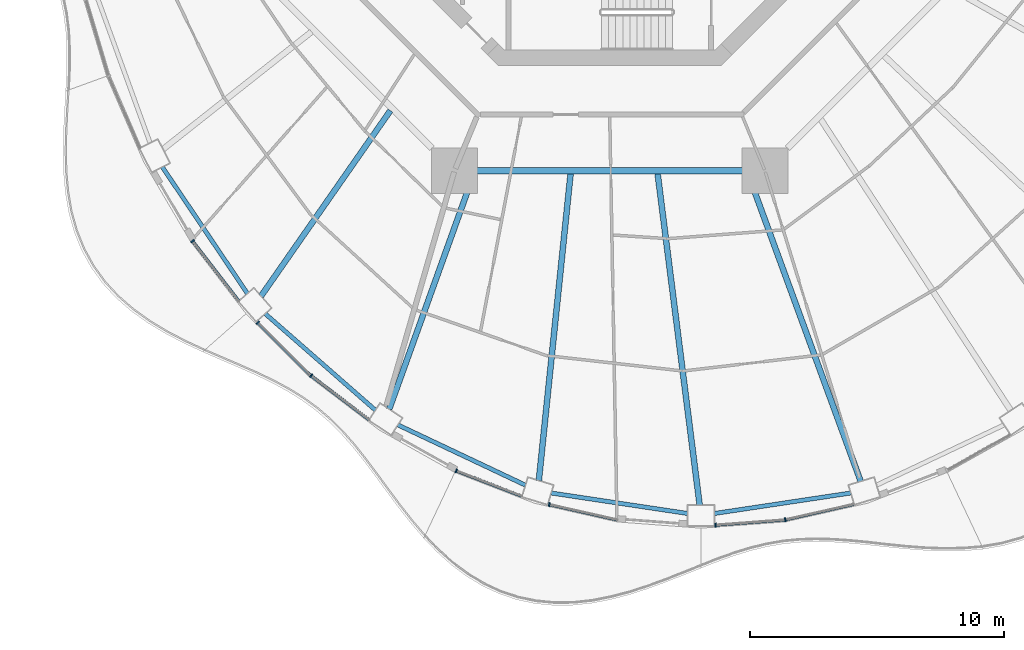
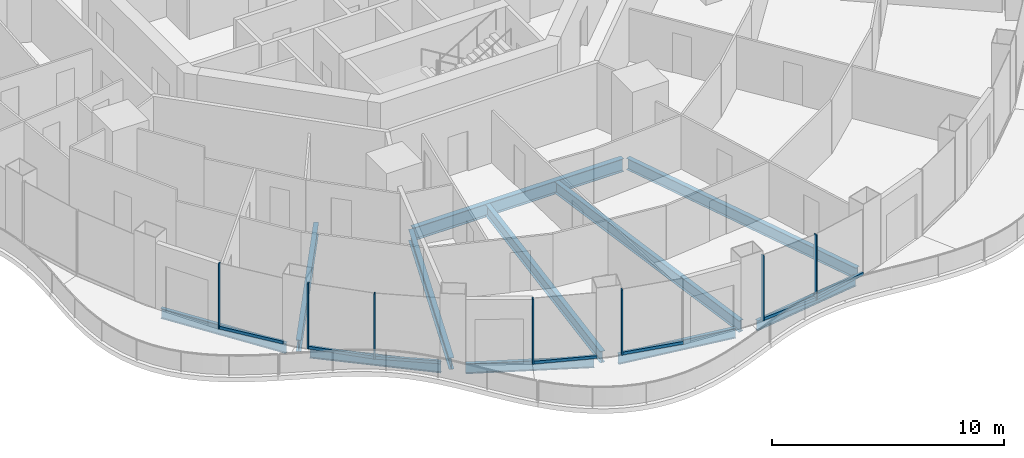
# One storey, part 2 of 19: 14 members, 11 beams, 7 elements without a shape of their own.
"""IFC4 building model written with IfcOpenShell, lengths in metres."""

from ifc_helpers import new_model, si_unit, direction, frame, origin, origin_2d, place, context, subcontext, project, spatial, rectangle, i_section, extrude, material, layer, layer_set, material_profile, profile_set, type_object, element, aggregate, save


model = new_model("IFC4")

# Units and contexts
model_context = context("Model", 3, precision=1e-05, world=origin(), true_north=direction((0.0, 1.0)))
body_context = subcontext(model_context, "Body", "Model", "MODEL_VIEW")
ifc_project = project(units=[si_unit("LENGTHUNIT", "METRE"), si_unit("AREAUNIT", "SQUARE_METRE"), si_unit("VOLUMEUNIT", "CUBIC_METRE"), si_unit("PLANEANGLEUNIT", "RADIAN"), si_unit("MASSUNIT", "GRAM", prefix="KILO")], contexts=[model_context])

# Site, building, storey
site_placement = place(None, origin())
site = spatial("IfcSite", under=ifc_project, at=site_placement, CompositionType="ELEMENT")
building_placement = place(site_placement, origin())
building = spatial("IfcBuilding", under=site, at=building_placement, Name="Nagisa Residences", CompositionType="ELEMENT")
storey_placement = place(building_placement, frame((0.0, 0.0, 169.60009765625)))
storey = spatial("IfcBuildingStorey", under=building, at=storey_placement, Name="L42", CompositionType="ELEMENT", Elevation=169.60009765625)

# Curtain wall, member
ifc_material_1 = material(Name="Concrete-coloured aluminium curtain wall system", Category="concrete")
ifc_layer = layer(ifc_material_1, 0.159912109375)
ifc_layer_set = layer_set([ifc_layer], Name="CW1 CURTAIN WALL")
curtain_wall_type = type_object("IfcCurtainWallType", Name="CW1 CURTAIN WALL", PredefinedType="NOTDEFINED", material=ifc_layer_set)
curtain_wall_1_placement = place(storey_placement, origin())
curtain_wall_1 = element("IfcCurtainWall", 1, at=curtain_wall_1_placement, inside=storey, type_object=curtain_wall_type, Name="cw:CW1:L42:29", PredefinedType="NOTDEFINED")
ifc_material_2 = material(Name="Concrete-coloured aluminium", Category="concrete")
ifc_material_profile_1 = material_profile(ifc_material_2, rectangle(XDim=0.159912109375, YDim=0.06005859375, at=origin_2d()), Name="CW1 MULLION 160x60")
ifc_profile_set_1 = profile_set([ifc_material_profile_1], Name="Concrete-coloured aluminium")
member_type_1 = type_object("IfcMemberType", Name="CW1 MULLION 160x60", PredefinedType="MULLION", material=ifc_profile_set_1)
member_1_placement = place(storey_placement, frame((-16.44970703125, -17.552978515625, 0.0), z_axis=(0.0, 0.0, 1.0), x_axis=(0.792070340816, 0.610429828235, 0.0)))
member_1 = element("IfcMember", 2, at=member_1_placement, type_object=member_type_1, Name="CW1 mullion", PredefinedType="MULLION", context=body_context, shape_type="SweptSolid", body=[
    extrude(rectangle(XDim=0.159912109375, YDim=0.06005859375, at=origin_2d()), origin(), (0.0, 0.0, 1.0), 3.43994140625),
])

curtain_wall_2_placement = place(storey_placement, origin())
curtain_wall_2 = element("IfcCurtainWall", 3, at=curtain_wall_2_placement, inside=storey, type_object=curtain_wall_type, Name="cw:CW1:L42:30", PredefinedType="NOTDEFINED")
member_2_placement = place(storey_placement, frame((-13.875732421875, -20.770751953125, 0.0), z_axis=(0.0, 0.0, 1.0), x_axis=(0.706376885714, 0.707835924016, 0.0)))
member_2 = element("IfcMember", 4, at=member_2_placement, type_object=member_type_1, Name="CW1 mullion", PredefinedType="MULLION", context=body_context, shape_type="SweptSolid", body=[
    extrude(rectangle(XDim=0.159912109375, YDim=0.06005859375, at=origin_2d()), origin(), (0.0, 0.0, 1.0), 3.43994140625),
])

curtain_wall_3_placement = place(storey_placement, origin())
curtain_wall_3 = element("IfcCurtainWall", 5, at=curtain_wall_3_placement, inside=storey, type_object=curtain_wall_type, Name="cw:CW1:L42:31", PredefinedType="NOTDEFINED")
member_3_placement = place(storey_placement, frame((-11.77490234375, -22.862548828125, 0.0), z_axis=(0.0, 0.0, 1.0), x_axis=(0.605255421737, 0.79603132756, 0.0)))
member_3 = element("IfcMember", 6, at=member_3_placement, type_object=member_type_1, Name="CW1 mullion", PredefinedType="MULLION", context=body_context, shape_type="SweptSolid", body=[
    extrude(rectangle(XDim=0.159912109375, YDim=0.06005859375, at=origin_2d()), origin(), (0.0, 0.0, 1.0), 3.43994140625),
])

curtain_wall_4_placement = place(storey_placement, origin())
curtain_wall_4 = element("IfcCurtainWall", 7, at=curtain_wall_4_placement, inside=storey, type_object=curtain_wall_type, Name="cw:CW1:L42:33", PredefinedType="NOTDEFINED")
member_4_placement = place(storey_placement, frame((-6.0537109375, -26.61328125, 0.0), z_axis=(0.0, 0.0, 1.0), x_axis=(0.360327770268, 0.932825759707, 0.0)))
member_4 = element("IfcMember", 8, at=member_4_placement, type_object=member_type_1, Name="CW1 mullion", PredefinedType="MULLION", context=body_context, shape_type="SweptSolid", body=[
    extrude(rectangle(XDim=0.159912109375, YDim=0.06005859375, at=origin_2d()), origin(), (0.0, 0.0, 1.0), 3.43994140625),
])

curtain_wall_5_placement = place(storey_placement, origin())
curtain_wall_5 = element("IfcCurtainWall", 9, at=curtain_wall_5_placement, inside=storey, type_object=curtain_wall_type, Name="cw:CW1:L42:34", PredefinedType="NOTDEFINED")
member_5_placement = place(storey_placement, frame((-2.38427734375, -27.941162109375, 0.0), z_axis=(0.0, 0.0, 1.0), x_axis=(0.2207639201, 0.975327274089, 0.0)))
member_5 = element("IfcMember", 10, at=member_5_placement, type_object=member_type_1, Name="CW1 mullion", PredefinedType="MULLION", context=body_context, shape_type="SweptSolid", body=[
    extrude(rectangle(XDim=0.159912109375, YDim=0.06005859375, at=origin_2d()), origin(), (0.0, 0.0, 1.0), 3.43994140625),
])

curtain_wall_6_placement = place(storey_placement, origin())
curtain_wall_6 = element("IfcCurtainWall", 11, at=curtain_wall_6_placement, inside=storey, type_object=curtain_wall_type, Name="cw:CW1:L42:36", PredefinedType="NOTDEFINED")
member_6_placement = place(storey_placement, frame((4.17236328125, -28.752197265625, 0.0), z_axis=(0.0, 0.0, 1.0), x_axis=(-0.074377355493, 0.997230168512, 0.0)))
member_6 = element("IfcMember", 12, at=member_6_placement, type_object=member_type_1, Name="CW1 mullion", PredefinedType="MULLION", context=body_context, shape_type="SweptSolid", body=[
    extrude(rectangle(XDim=0.159912109375, YDim=0.06005859375, at=origin_2d()), origin(), (0.0, 0.0, 1.0), 3.43994140625),
])

curtain_wall_7_placement = place(storey_placement, origin())
curtain_wall_7 = element("IfcCurtainWall", 13, at=curtain_wall_7_placement, inside=storey, type_object=curtain_wall_type, Name="cw:CW1:L42:37", PredefinedType="NOTDEFINED")
member_7_placement = place(storey_placement, frame((6.923583984375, -28.543212890625, 0.0), z_axis=(0.0, 0.0, 1.0), x_axis=(-0.2207639201, 0.975327274089, 0.0)))
member_7 = element("IfcMember", 14, at=member_7_placement, type_object=member_type_1, Name="CW1 mullion", PredefinedType="MULLION", context=body_context, shape_type="SweptSolid", body=[
    extrude(rectangle(XDim=0.159912109375, YDim=0.06005859375, at=origin_2d()), origin(), (0.0, 0.0, 1.0), 3.43994140625),
])

# Member
ifc_material_3 = material(Name="Concrete-coloured aluminium", Category="concrete")
ifc_material_profile_2 = material_profile(ifc_material_3, rectangle(XDim=0.1201171875, YDim=0.14990234375, at=origin_2d()), Name="CW1 TRANSOM 120x150")
ifc_profile_set_2 = profile_set([ifc_material_profile_2], Name="Concrete-coloured aluminium")
member_type_2 = type_object("IfcMemberType", Name="CW1 TRANSOM 120x150", PredefinedType="USERDEFINED", material=ifc_profile_set_2)
member_8_placement = place(storey_placement, frame((-16.468017578125, -17.529052734375, 0.074951171875), z_axis=(0.610398538814, -0.792094453846, 0.0), x_axis=(0.792094453846, 0.610398538814, 0.0)))
member_8 = element("IfcMember", 15, at=member_8_placement, type_object=member_type_2, Name="CW1 transom", ObjectType="TRANSOM", PredefinedType="USERDEFINED", context=body_context, shape_type="SweptSolid", body=[
    extrude(rectangle(XDim=0.1201171875, YDim=0.14990234375, at=origin_2d()), origin(), (0.0, 0.0, 1.0), 3.035400390625),
])

aggregate(curtain_wall_1, [member_1, member_8])

member_9_placement = place(storey_placement, frame((-13.89697265625, -20.74951171875, 0.074951171875), z_axis=(0.707803821372, -0.706409053206, 0.0), x_axis=(0.706409053206, 0.707803821372, 0.0)))
member_9 = element("IfcMember", 16, at=member_9_placement, type_object=member_type_2, Name="CW1 transom", ObjectType="TRANSOM", PredefinedType="USERDEFINED", context=body_context, shape_type="SweptSolid", body=[
    extrude(rectangle(XDim=0.1201171875, YDim=0.14990234375, at=origin_2d()), origin(), (0.0, 0.0, 1.0), 2.9755859375),
])

aggregate(curtain_wall_2, [member_2, member_9])

member_10_placement = place(storey_placement, frame((-11.798828125, -22.844482421875, 0.074951171875), z_axis=(0.796055733703, -0.60522332146, 0.0), x_axis=(0.60522332146, 0.796055733703, 0.0)))
member_10 = element("IfcMember", 17, at=member_10_placement, type_object=member_type_2, Name="CW1 transom", ObjectType="TRANSOM", PredefinedType="USERDEFINED", context=body_context, shape_type="SweptSolid", body=[
    extrude(rectangle(XDim=0.1201171875, YDim=0.14990234375, at=origin_2d()), origin(), (0.0, 0.0, 1.0), 2.9169921875),
])

aggregate(curtain_wall_3, [member_3, member_10])

member_11_placement = place(storey_placement, frame((-6.081787109375, -26.602294921875, 0.074951171875), z_axis=(0.932806734513, -0.360377019311, 0.0), x_axis=(0.360377019311, 0.932806734513, 0.0)))
member_11 = element("IfcMember", 18, at=member_11_placement, type_object=member_type_2, Name="CW1 transom", ObjectType="TRANSOM", PredefinedType="USERDEFINED", context=body_context, shape_type="SweptSolid", body=[
    extrude(rectangle(XDim=0.1201171875, YDim=0.14990234375, at=origin_2d()), origin(), (0.0, 0.0, 1.0), 2.819580078125),
])

aggregate(curtain_wall_4, [member_4, member_11])

member_12_placement = place(storey_placement, frame((-2.413330078125, -27.9345703125, 0.074951171875), z_axis=(0.975324329911, -0.220776926974, 0.0), x_axis=(0.220776926974, 0.975324329911, 0.0)))
member_12 = element("IfcMember", 19, at=member_12_placement, type_object=member_type_2, Name="CW1 transom", ObjectType="TRANSOM", PredefinedType="USERDEFINED", context=body_context, shape_type="SweptSolid", body=[
    extrude(rectangle(XDim=0.1201171875, YDim=0.14990234375, at=origin_2d()), origin(), (0.0, 0.0, 1.0), 2.787841796875),
])

aggregate(curtain_wall_5, [member_5, member_12])

member_13_placement = place(storey_placement, frame((4.142578125, -28.75439453125, 0.074951171875), z_axis=(0.997225528735, 0.074439538143, 0.0), x_axis=(-0.074439538143, 0.997225528735, 0.0)))
member_13 = element("IfcMember", 20, at=member_13_placement, type_object=member_type_2, Name="CW1 transom", ObjectType="TRANSOM", PredefinedType="USERDEFINED", context=body_context, shape_type="SweptSolid", body=[
    extrude(rectangle(XDim=0.1201171875, YDim=0.14990234375, at=origin_2d()), origin(), (0.0, 0.0, 1.0), 2.771240234375),
])

aggregate(curtain_wall_6, [member_6, member_13])

member_14_placement = place(storey_placement, frame((6.89453125, -28.550048828125, 0.074951171875), z_axis=(0.975324329911, 0.220776926974, 0.0), x_axis=(-0.220776926974, 0.975324329911, 0.0)))
member_14 = element("IfcMember", 21, at=member_14_placement, type_object=member_type_2, Name="CW1 transom", ObjectType="TRANSOM", PredefinedType="USERDEFINED", context=body_context, shape_type="SweptSolid", body=[
    extrude(rectangle(XDim=0.1201171875, YDim=0.14990234375, at=origin_2d()), origin(), (0.0, 0.0, 1.0), 2.787841796875),
])

aggregate(curtain_wall_7, [member_7, member_14])

# Beams
ifc_material_4 = material(Name="Steel ASTM A572 Gr 50", Category="steel")
ifc_material_profile_3 = material_profile(ifc_material_4, i_section(OverallWidth=0.25390625, OverallDepth=0.68408203125, WebThickness=0.012451171875, FlangeThickness=0.018798828125, at=origin_2d()), Name="W690x140")
ifc_profile_set_3 = profile_set([ifc_material_profile_3], Name="Steel ASTM A572 Gr 50")
beam_type_1 = type_object("IfcBeamType", Name="Inner ring beam W690x140", PredefinedType="BEAM", material=ifc_profile_set_3)
beam_1_placement = place(storey_placement, frame((-5.242919921875, -14.781982421875, -0.60205078125), z_axis=(1.0, 0.0, 0.0), x_axis=(0.0, 1.0, 0.0)))
element("IfcBeam", 22, at=beam_1_placement, inside=storey, type_object=beam_type_1, Name="beam:L42:ib6", PredefinedType="BEAM", context=body_context, shape_type="SweptSolid", body=[
    extrude(i_section(OverallWidth=0.25390625, OverallDepth=0.68408203125, WebThickness=0.012451171875, FlangeThickness=0.018798828125, at=origin_2d()), origin(), (0.0, 0.0, 1.0), 10.48583984375),
])
ifc_material_5 = material(Name="Steel ASTM A572 Gr 50", Category="steel")
ifc_material_profile_4 = material_profile(ifc_material_5, i_section(OverallWidth=0.166015625, OverallDepth=0.534912109375, WebThickness=0.01025390625, FlangeThickness=0.0166015625, at=origin_2d()), Name="W530x85")
ifc_profile_set_4 = profile_set([ifc_material_profile_4], Name="Steel ASTM A572 Gr 50")
beam_type_2 = type_object("IfcBeamType", Name="Perimeter ring beam W530x85", PredefinedType="BEAM", material=ifc_profile_set_4)
beam_2_placement = place(storey_placement, frame((-17.644287109375, -14.630615234375, -0.527587890625), z_axis=(0.558152301307, -0.829738518177, 0.0), x_axis=(0.829738518177, 0.558152301307, 0.0)))
element("IfcBeam", 23, at=beam_2_placement, inside=storey, type_object=beam_type_2, Name="beam:L42:pb15", PredefinedType="BEAM", context=body_context, shape_type="SweptSolid", body=[
    extrude(i_section(OverallWidth=0.166015625, OverallDepth=0.534912109375, WebThickness=0.01025390625, FlangeThickness=0.0166015625, at=origin_2d()), origin(), (0.0, 0.0, 1.0), 6.013916015625),
])
beam_3_placement = place(storey_placement, frame((-13.5869140625, -20.416259765625, -0.527587890625), z_axis=(0.752461486776, -0.658636250838, 0.0), x_axis=(0.658636250838, 0.752461486776, 0.0)))
element("IfcBeam", 24, at=beam_3_placement, inside=storey, type_object=beam_type_2, Name="beam:L42:pb16", PredefinedType="BEAM", context=body_context, shape_type="SweptSolid", body=[
    extrude(i_section(OverallWidth=0.166015625, OverallDepth=0.534912109375, WebThickness=0.01025390625, FlangeThickness=0.0166015625, at=origin_2d()), origin(), (0.0, 0.0, 1.0), 5.776611328125),
])
beam_4_placement = place(storey_placement, frame((-8.353515625, -24.80224609375, -0.527587890625), z_axis=(0.904157325884, -0.427199637232, 0.0), x_axis=(0.427199637232, 0.904157325884, 0.0)))
element("IfcBeam", 25, at=beam_4_placement, inside=storey, type_object=beam_type_2, Name="beam:L42:pb17", PredefinedType="BEAM", context=body_context, shape_type="SweptSolid", body=[
    extrude(i_section(OverallWidth=0.166015625, OverallDepth=0.534912109375, WebThickness=0.01025390625, FlangeThickness=0.0166015625, at=origin_2d()), origin(), (0.0, 0.0, 1.0), 5.56396484375),
])
for number, where, z_axis, x_axis, name in (
    (26, (-2.30810546875, -27.48779296875, -0.527587890625), (0.988911312658, -0.148507291732, 0.0), (0.148507291732, 0.988911312658, 0.0), "beam:L42:pb18"),
    (27, (4.130126953125, -28.29541015625, -0.527587890625), (0.988911312658, 0.148507291732, 0.0), (-0.148507291732, 0.988911312658, 0.0), "beam:L42:pb19"),
):
    element("IfcBeam", number, at=place(storey_placement, frame(where, z_axis=z_axis, x_axis=x_axis)), inside=storey, type_object=beam_type_2, Name=name, PredefinedType="BEAM", context=body_context, shape_type="SweptSolid", body=[
        extrude(i_section(OverallWidth=0.166015625, OverallDepth=0.534912109375, WebThickness=0.01025390625, FlangeThickness=0.0166015625, at=origin_2d()), origin(), (0.0, 0.0, 1.0), 5.438232421875),
    ])
ifc_material_6 = material(Name="Steel ASTM A572 Gr 50", Category="steel")
ifc_material_profile_5 = material_profile(ifc_material_6, i_section(OverallWidth=0.22802734375, OverallDepth=0.60302734375, WebThickness=0.010498046875, FlangeThickness=0.014892578125, at=origin_2d()), Name="W610x101")
ifc_profile_set_5 = profile_set([ifc_material_profile_5], Name="Steel ASTM A572 Gr 50")
beam_type_3 = type_object("IfcBeamType", Name="Radial beam W610x101", PredefinedType="BEAM", material=ifc_profile_set_5)
beam_5_placement = place(storey_placement, frame((-13.75048828125, -19.7216796875, -0.5615234375), z_axis=(0.571934479253, 0.82029930601, 0.0), x_axis=(-0.82029930601, 0.571934479253, 0.0)))
element("IfcBeam", 28, at=beam_5_placement, inside=storey, type_object=beam_type_3, Name="beam:L42:rb16", PredefinedType="BEAM", context=body_context, shape_type="SweptSolid", body=[
    extrude(i_section(OverallWidth=0.22802734375, OverallDepth=0.60302734375, WebThickness=0.010498046875, FlangeThickness=0.014892578125, at=origin_2d()), origin(), (0.0, 0.0, 1.0), 8.917724609375),
])
beam_6_placement = place(storey_placement, frame((-8.6962890625, -24.180908203125, -0.5615234375), z_axis=(0.338417364879, 0.940996114311, 0.0), x_axis=(-0.940996114311, 0.338417364879, 0.0)))
element("IfcBeam", 29, at=beam_6_placement, inside=storey, type_object=beam_type_3, Name="beam:L42:rb17", PredefinedType="BEAM", context=body_context, shape_type="SweptSolid", body=[
    extrude(i_section(OverallWidth=0.22802734375, OverallDepth=0.60302734375, WebThickness=0.010498046875, FlangeThickness=0.014892578125, at=origin_2d()), origin(), (0.0, 0.0, 1.0), 9.873291015625),
])
beam_7_placement = place(storey_placement, frame((-2.795654296875, -26.997314453125, -0.5615234375), z_axis=(0.103007948723, 0.994680532885, 0.0), x_axis=(-0.994680532885, 0.103007948723, 0.0)))
element("IfcBeam", 30, at=beam_7_placement, inside=storey, type_object=beam_type_3, Name="beam:L42:rb18", PredefinedType="BEAM", context=body_context, shape_type="SweptSolid", body=[
    extrude(i_section(OverallWidth=0.22802734375, OverallDepth=0.60302734375, WebThickness=0.010498046875, FlangeThickness=0.014892578125, at=origin_2d()), origin(), (0.0, 0.0, 1.0), 12.1728515625),
])
beam_8_placement = place(storey_placement, frame((3.548583984375, -27.9697265625, -0.5615234375), z_axis=(-0.125871302495, 0.992046579153, 0.0), x_axis=(-0.992046579153, -0.125871302495, 0.0)))
element("IfcBeam", 31, at=beam_8_placement, inside=storey, type_object=beam_type_3, Name="beam:L42:rb19", PredefinedType="BEAM", context=body_context, shape_type="SweptSolid", body=[
    extrude(i_section(OverallWidth=0.22802734375, OverallDepth=0.60302734375, WebThickness=0.010498046875, FlangeThickness=0.014892578125, at=origin_2d()), origin(), (0.0, 0.0, 1.0), 13.185546875),
])
beam_9_placement = place(storey_placement, frame((9.898681640625, -27.02734375, -0.5615234375), z_axis=(-0.343903309659, 0.939005065804, 0.0), x_axis=(-0.939005065804, -0.343903309659, 0.0)))
element("IfcBeam", 32, at=beam_9_placement, inside=storey, type_object=beam_type_3, Name="beam:L42:rb20", PredefinedType="BEAM", context=body_context, shape_type="SweptSolid", body=[
    extrude(i_section(OverallWidth=0.22802734375, OverallDepth=0.60302734375, WebThickness=0.010498046875, FlangeThickness=0.014892578125, at=origin_2d()), origin(), (0.0, 0.0, 1.0), 12.92529296875),
])

save(model, "model.ifc")
